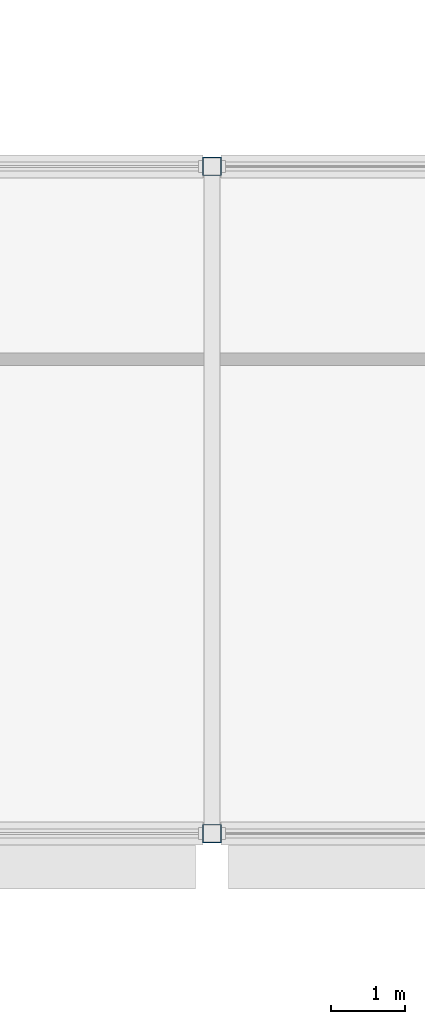
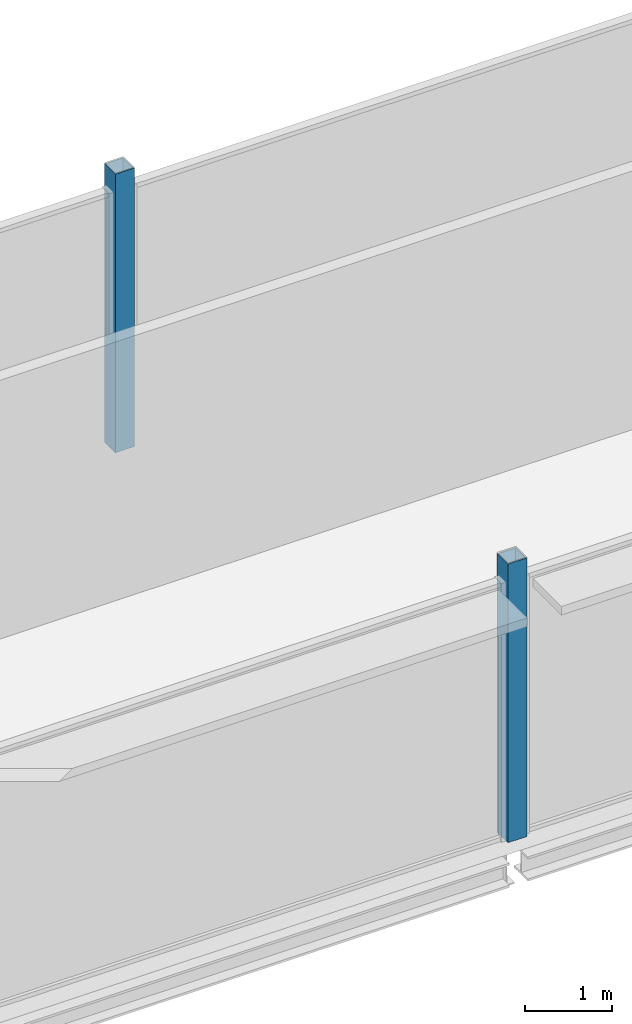
# One storey, part 6 of 98: 2 columns.
"""IFC4 building model written with IfcOpenShell, lengths in metres."""

from ifc_helpers import new_model, si_unit, direction, frame, origin, origin_2d, place, context, subcontext, project, spatial, hollow_rectangle, extrude, material, material_profile, profile_set, type_object, element, save


model = new_model("IFC4")

# Units and contexts
model_context = context("Model", 3, precision=1e-05, world=origin(), true_north=direction((0.0, 1.0)))
body_context = subcontext(model_context, "Body", "Model", "MODEL_VIEW")
ifc_project = project(units=[si_unit("LENGTHUNIT", "METRE"), si_unit("AREAUNIT", "SQUARE_METRE"), si_unit("VOLUMEUNIT", "CUBIC_METRE"), si_unit("PLANEANGLEUNIT", "RADIAN"), si_unit("MASSUNIT", "GRAM", prefix="KILO")], contexts=[model_context])

# Site, building, storey
site_placement = place(None, origin())
site = spatial("IfcSite", under=ifc_project, at=site_placement, CompositionType="ELEMENT")
building_placement = place(site_placement, origin())
building = spatial("IfcBuilding", under=site, at=building_placement, Name="Kisiwana Market Hall", CompositionType="ELEMENT")
storey_placement = place(building_placement, frame((0.0, 0.0, 29.39990234375)))
storey = spatial("IfcBuildingStorey", under=building, at=storey_placement, Name="L06", CompositionType="ELEMENT", Elevation=29.39990234375)

# Columns
ifc_material = material(Name="Steel S355", Category="steel")
ifc_material_profile = material_profile(ifc_material, hollow_rectangle(XDim=0.25, YDim=0.25, WallThickness=0.012451171875, at=origin_2d()), Name="SHS 250x250x12.5")
ifc_profile_set = profile_set([ifc_material_profile], Name="Steel S355")
column_type = type_object("IfcColumnType", Name="COL-STL-SHS250", PredefinedType="COLUMN", material=ifc_profile_set)
for number, where, z_axis, x_axis, name in (
    (1, (63.0, 93.0, 0.0), (0.0, 0.0, 1.0), (1.0, 0.0, 0.0), "Column M/8 (L06) C-1013"),
    (2, (63.0, 102.0, 0.0), (0.0, 0.0, 1.0), (1.0, 0.0, 0.0), "Column N/8 (L06) C-1014"),
):
    element("IfcColumn", number, at=place(storey_placement, frame(where, z_axis=z_axis, x_axis=x_axis)), inside=storey, type_object=column_type, Name=name, PredefinedType="COLUMN", context=body_context, shape_type="SweptSolid", body=[
        extrude(hollow_rectangle(XDim=0.25, YDim=0.25, WallThickness=0.012451171875, at=origin_2d()), origin(), (0.0, 0.0, 1.0), 3.900146484375),
    ])

save(model, "model.ifc")
